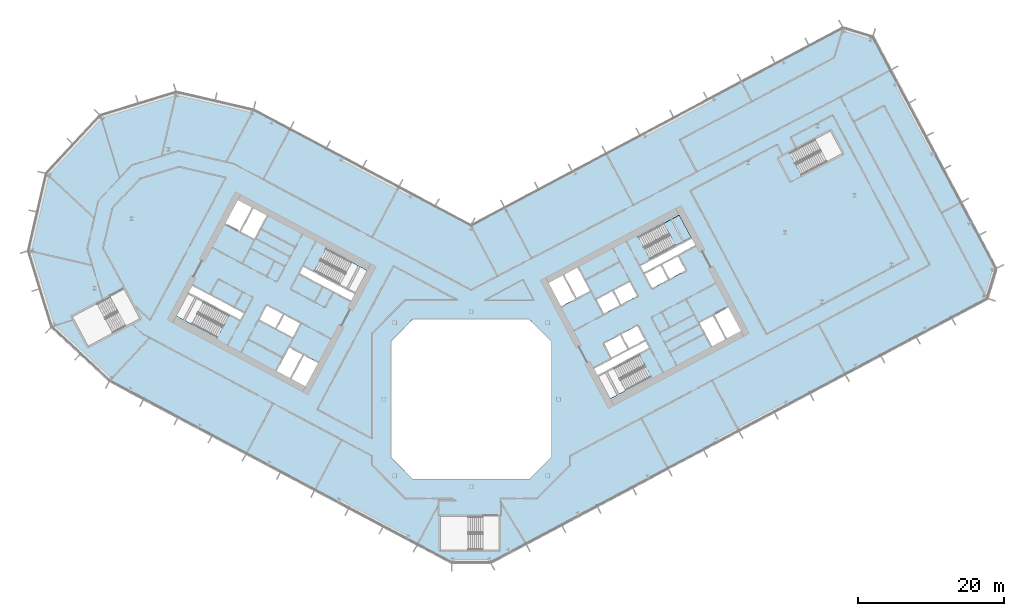
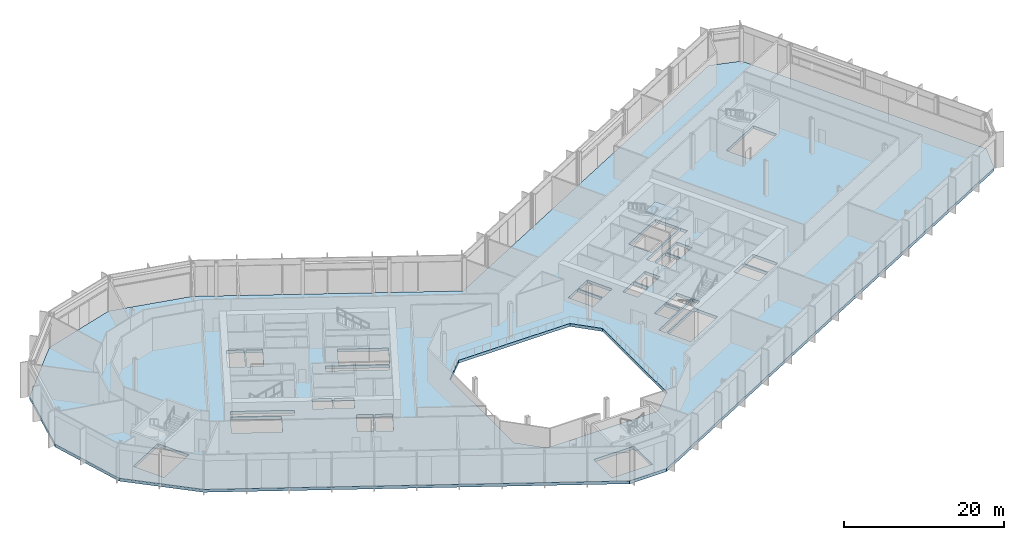
# One storey, part 10 of 32: 2 slabs, 1 element without a shape of its own.
"""IFC4 building model written with IfcOpenShell, lengths in metres."""

from ifc_helpers import new_model, si_unit, direction, frame, origin, place, context, subcontext, project, spatial, polyline, outline, extrude, material, layer, layer_set, type_object, element, aggregate, save


model = new_model("IFC4")

# Units and contexts
model_context = context("Model", 3, precision=1e-05, world=origin(), true_north=direction((0.0, 1.0)))
body_context = subcontext(model_context, "Body", "Model", "MODEL_VIEW")
ifc_project = project(units=[si_unit("LENGTHUNIT", "METRE"), si_unit("AREAUNIT", "SQUARE_METRE"), si_unit("VOLUMEUNIT", "CUBIC_METRE"), si_unit("PLANEANGLEUNIT", "RADIAN"), si_unit("MASSUNIT", "GRAM", prefix="KILO")], contexts=[model_context])

# Site, building, storey
site_placement = place(None, origin())
site = spatial("IfcSite", under=ifc_project, at=site_placement, CompositionType="ELEMENT")
building_placement = place(site_placement, origin())
building = spatial("IfcBuilding", under=site, at=building_placement, Name="Cormorant Relay Tower", CompositionType="ELEMENT")
storey_placement = place(building_placement, frame((0.0, 0.0, 17.60009765625)))
storey = spatial("IfcBuildingStorey", under=building, at=storey_placement, Name="L03", CompositionType="ELEMENT", Elevation=17.60009765625)

# Stair, slab
ifc_material_1 = material(Name="Concrete 40 MPa", Category="concrete")
stair_type = type_object("IfcStairType", Name="Exit stair 1500", PredefinedType="HALF_TURN_STAIR", material=ifc_material_1)
stair_placement = place(storey_placement, origin())
stair = element("IfcStair", 1, at=stair_placement, inside=storey, type_object=stair_type, Name="L03 Stair", PredefinedType="HALF_TURN_STAIR")
ifc_material_2 = material(Name="Concrete 40 MPa", Category="concrete")
ifc_layer_1 = layer(ifc_material_2, 0.199951171875)
ifc_layer_set_1 = layer_set([ifc_layer_1], Name="Exit stair landing 200")
slab_type_1 = type_object("IfcSlabType", Name="Exit stair landing 200", PredefinedType="LANDING", material=ifc_layer_set_1)
slab_1_placement = place(storey_placement, frame((0.0, 0.0, 2.5)))
slab_1 = element("IfcSlab", 2, at=slab_1_placement, type_object=slab_type_1, Name="B2 landing 1", PredefinedType="LANDING", context=body_context, shape_type="SweptSolid", body=[
    extrude(outline(polyline([(28.05322265625, 21.088623046875), (30.19873046875, 22.2294921875), (28.5791015625, 25.275634765625), (26.43359375, 24.134765625), (28.05322265625, 21.088623046875)])), origin(), (0.0, 0.0, 1.0), 0.199951171875),
])
aggregate(stair, [slab_1])

# Slab
ifc_material_3 = material(Name="Concrete 40 MPa", Category="concrete")
ifc_layer_2 = layer(ifc_material_3, 0.449951171875)
ifc_layer_set_2 = layer_set([ifc_layer_2], Name="Flat plate 450")
slab_type_2 = type_object("IfcSlabType", Name="Flat plate 450", PredefinedType="FLOOR", material=ifc_layer_set_2)
slab_2_placement = place(storey_placement, frame((0.0, 0.0, -0.4501953125)))
element("IfcSlab", 3, at=slab_2_placement, inside=storey, type_object=slab_type_2, Name="Floor slab L03", PredefinedType="FLOOR", context=body_context, shape_type="SweptSolid", body=[
    extrude(outline(polyline([(-60.7197265625, 20.393310546875), (-58.2744140625, 30.985107421875), (-50.86083984375, 38.935302734375), (-40.465576171875, 42.11328125), (-29.873779296875, 39.668212890625), (0.0, 23.783935546875), (51.064453125, 50.935302734375), (55.12158203125, 49.695068359375), (72.022705078125, 17.908935546875), (70.7822265625, 13.8515625), (2.648681640625, -22.37548828125), (-2.648681640625, -22.37548828125), (-49.591552734375, 2.584228515625), (-57.541748046875, 9.997802734375), (-60.7197265625, 20.393310546875)]), holes=[polyline([(11.0, -8.0), (11.0, 8.0), (8.0, 11.0), (-8.0, 11.0), (-11.0, 8.0), (-11.0, -8.0), (-8.0, -11.0), (8.0, -11.0), (11.0, -8.0)]), polyline([(-4.199951171875, -16.125), (-4.199951171875, -20.675048828125), (1.60009765625, -20.675048828125), (1.60009765625, -16.125), (-4.199951171875, -16.125)]), polyline([(-22.95458984375, 6.03271484375), (-24.668212890625, 2.81005859375), (-22.725830078125, 1.777099609375), (-21.01220703125, 5.0), (-23.04296875, 6.07958984375), (-22.95458984375, 6.03271484375)]), polyline([(-24.985595703125, 7.112548828125), (-26.69921875, 3.889892578125), (-24.844970703125, 2.90380859375), (-23.13134765625, 6.126708984375), (-23.04296875, 6.07958984375), (-24.985595703125, 7.112548828125)]), polyline([(-24.481201171875, 8.48681640625), (-23.448486328125, 10.42919921875), (-25.656005859375, 11.602783203125), (-26.688720703125, 9.660400390625), (-24.481201171875, 8.48681640625)]), polyline([(-49.57861328125, 14.0537109375), (-54.69970703125, 11.330810546875), (-52.563720703125, 7.3134765625), (-47.442626953125, 10.036376953125), (-49.57861328125, 14.0537109375)]), polyline([(-25.83251953125, 11.69677734375), (-28.039794921875, 12.870361328125), (-29.07275390625, 10.927978515625), (-26.865234375, 9.75439453125), (-25.83251953125, 11.69677734375)]), polyline([(-38.847900390625, 14.483154296875), (-40.46728515625, 11.43701171875), (-34.860595703125, 8.455810546875), (-33.240966796875, 11.502197265625), (-38.847900390625, 14.483154296875)]), polyline([(-38.260986328125, 15.5869140625), (-38.75390625, 14.659912109375), (-31.690185546875, 10.904052734375), (-31.197265625, 11.8310546875), (-38.260986328125, 15.5869140625)]), polyline([(14.3056640625, 13.779052734375), (12.592041015625, 17.001708984375), (10.649658203125, 15.968994140625), (12.36328125, 12.74609375), (14.39404296875, 13.825927734375), (14.3056640625, 13.779052734375)]), polyline([(16.33642578125, 14.85888671875), (14.622802734375, 18.08154296875), (12.768798828125, 17.095703125), (14.482421875, 13.872802734375), (14.39404296875, 13.825927734375), (16.33642578125, 14.85888671875)]), polyline([(-16.481689453125, 13.520263671875), (-15.989013671875, 14.447509765625), (-23.052490234375, 18.203125), (-23.54541015625, 17.276123046875), (-16.481689453125, 13.520263671875)]), polyline([(-21.501708984375, 17.605224609375), (-15.89501953125, 14.6240234375), (-14.275390625, 17.670166015625), (-19.882080078125, 20.6513671875), (-21.501708984375, 17.605224609375)]), polyline([(-31.611572265625, 22.980712890625), (-29.75732421875, 21.99462890625), (-28.043701171875, 25.217529296875), (-29.89794921875, 26.203369140625), (-31.611572265625, 22.980712890625)]), polyline([(-33.73046875, 24.107421875), (-31.7880859375, 23.074462890625), (-30.074462890625, 26.29736328125), (-32.01708984375, 27.330078125), (-33.73046875, 24.107421875)]), polyline([(23.087158203125, 6.10302734375), (17.48046875, 3.1220703125), (19.10009765625, 0.07568359375), (24.706787109375, 3.056884765625), (23.087158203125, 6.10302734375)]), polyline([(16.8935546875, 4.2255859375), (17.386474609375, 3.298583984375), (24.4501953125, 7.054443359375), (23.957275390625, 7.9814453125), (16.8935546875, 4.2255859375)]), polyline([(20.446533203125, 8.8330078125), (18.239013671875, 7.6591796875), (19.27197265625, 5.716796875), (21.479248046875, 6.890380859375), (20.446533203125, 8.8330078125)]), polyline([(20.623046875, 8.927001953125), (21.656005859375, 6.984375), (23.86328125, 8.158203125), (22.830322265625, 10.1005859375), (20.623046875, 8.927001953125)]), polyline([(33.197021484375, 11.478515625), (31.3427734375, 10.49267578125), (33.056396484375, 7.27001953125), (34.910400390625, 8.255859375), (33.197021484375, 11.478515625)]), polyline([(33.37353515625, 11.572509765625), (35.087158203125, 8.349609375), (37.029541015625, 9.382568359375), (35.31591796875, 12.605224609375), (33.37353515625, 11.572509765625)]), polyline([(17.19384765625, 13.67236328125), (18.2265625, 11.72998046875), (20.43408203125, 12.903564453125), (19.401123046875, 14.84619140625), (17.19384765625, 13.67236328125)]), polyline([(20.610595703125, 12.99755859375), (22.81787109375, 14.171142578125), (21.78515625, 16.113525390625), (19.57763671875, 14.93994140625), (20.610595703125, 12.99755859375)]), polyline([(26.023193359375, 18.3671875), (23.81591796875, 17.193359375), (24.8486328125, 15.2509765625), (27.05615234375, 16.424560546875), (26.023193359375, 18.3671875)]), polyline([(29.440185546875, 17.692138671875), (28.4072265625, 19.634765625), (26.19970703125, 18.4609375), (27.232666015625, 16.5185546875), (29.440185546875, 17.692138671875)]), polyline([(30.78564453125, 21.125732421875), (30.29248046875, 22.052978515625), (23.22900390625, 18.297119140625), (23.721923828125, 17.3701171875), (30.78564453125, 21.125732421875)]), polyline([(24.592041015625, 19.248291015625), (30.19873046875, 22.2294921875), (28.5791015625, 25.275634765625), (22.972412109375, 22.29443359375), (24.592041015625, 19.248291015625)]), polyline([(45.3349609375, 30.773681640625), (50.941650390625, 33.7548828125), (49.322021484375, 36.801025390625), (43.715087890625, 33.81982421875), (45.3349609375, 30.773681640625)])]), origin(), (0.0, 0.0, 1.0), 0.4501953125),
])

save(model, "model.ifc")
